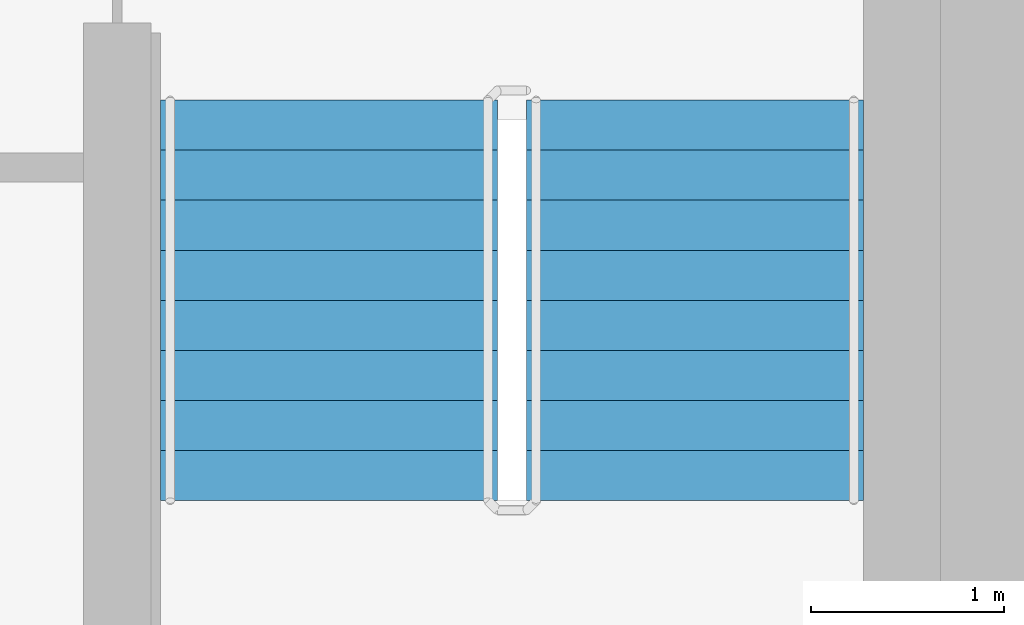
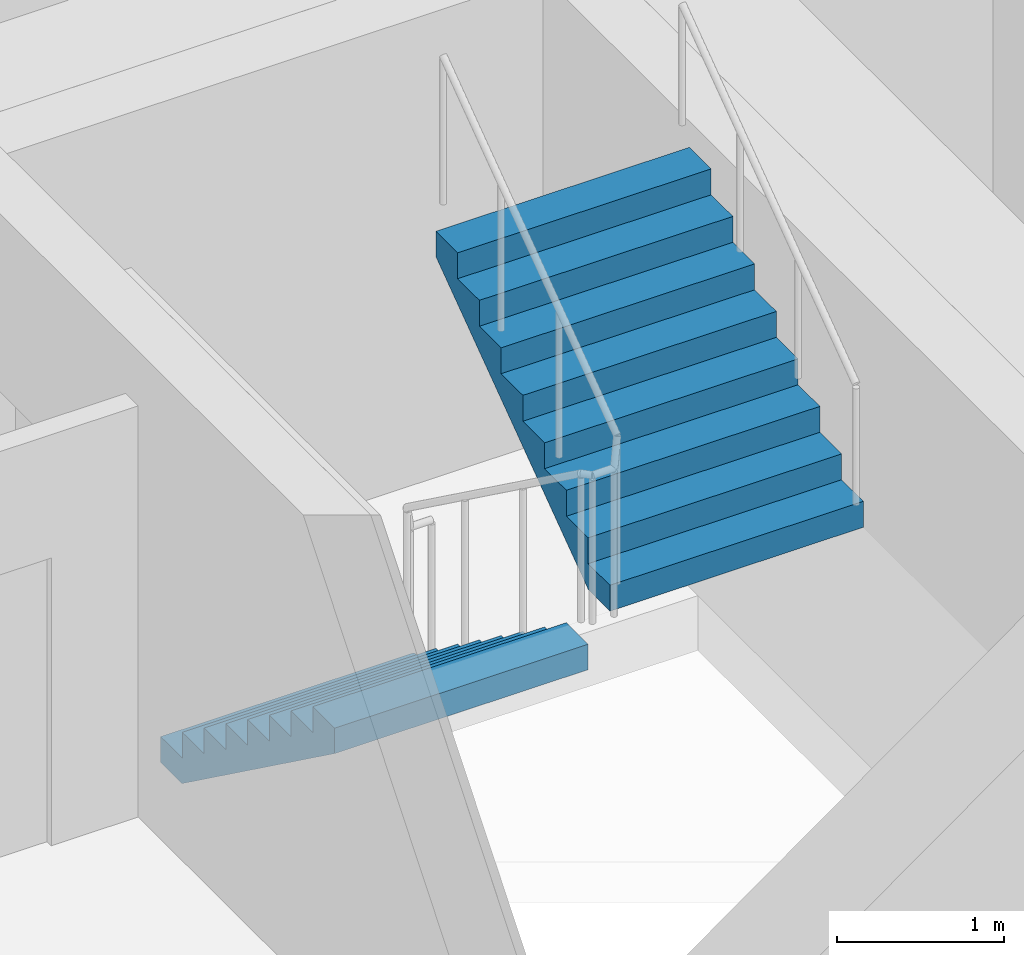
# One storey, part 15 of 19: 2 stair flights, 1 element without a shape of its own.
"""IFC4 building model written with IfcOpenShell, lengths in metres."""

from ifc_helpers import new_model, si_unit, direction, frame, origin, place, context, subcontext, project, spatial, faceted_brep, material, type_object, element, aggregate, save


model = new_model("IFC4")

# Units and contexts
model_context = context("Model", 3, precision=1e-05, world=origin(), true_north=direction((0.0, 1.0)))
body_context = subcontext(model_context, "Body", "Model", "MODEL_VIEW")
ifc_project = project(units=[si_unit("LENGTHUNIT", "METRE"), si_unit("AREAUNIT", "SQUARE_METRE"), si_unit("VOLUMEUNIT", "CUBIC_METRE"), si_unit("PLANEANGLEUNIT", "RADIAN"), si_unit("MASSUNIT", "GRAM", prefix="KILO")], contexts=[model_context])

# Site, building, storey
site_placement = place(None, origin())
site = spatial("IfcSite", under=ifc_project, at=site_placement, CompositionType="ELEMENT")
building_placement = place(site_placement, origin())
building = spatial("IfcBuilding", under=site, at=building_placement, Name="Ipe Terrace Towers", CompositionType="ELEMENT")
storey_placement = place(building_placement, frame((0.0, 0.0, 140.5)))
storey = spatial("IfcBuildingStorey", under=building, at=storey_placement, Name="L38", CompositionType="ELEMENT", Elevation=140.5)

# Stair, stair flights
ifc_material_1 = material(Name="Concrete C30/37", Category="concrete")
stair_type = type_object("IfcStairType", Name="Protected exit stair", PredefinedType="HALF_TURN_STAIR", material=ifc_material_1)
stair_placement = place(storey_placement, origin())
stair = element("IfcStair", 1, at=stair_placement, inside=storey, type_object=stair_type, Name="L38 Exit stair T2-C2", PredefinedType="HALF_TURN_STAIR")
ifc_material_2 = material(Name="Concrete C30/37", Category="concrete")
stair_flight_type = type_object("IfcStairFlightType", Name="Exit stair flight 1750", PredefinedType="STRAIGHT", material=ifc_material_2)
stair_flight_1_placement = place(storey_placement, frame((38.77490234375, -9.699951171875, 0.0), z_axis=(0.0, 0.0, 1.0), x_axis=(0.0, -1.0, 0.0)))
stair_flight_1 = element("IfcStairFlight", 2, at=stair_flight_1_placement, type_object=stair_flight_type, Name="T2-ST2 flight 1", NumberOfRisers=9, NumberOfTreads=8, PredefinedType="STRAIGHT", RiserHeight=0.188888889, TreadLength=0.26, context=body_context, shape_type="Brep", body=[
    faceted_brep([(0.255126953125, -0.875, 0.0), (2.080078125, -0.875, 1.325927734375), (2.080078125, -0.875, 1.51123046875), (1.820068359375, -0.875, 1.51123046875), (1.820068359375, -0.875, 1.322265625), (1.56005859375, -0.875, 1.322265625), (1.56005859375, -0.875, 1.13330078125), (1.300048828125, -0.875, 1.13330078125), (1.300048828125, -0.875, 0.9443359375), (1.0400390625, -0.875, 0.9443359375), (1.0400390625, -0.875, 0.755615234375), (0.780029296875, -0.875, 0.755615234375), (0.780029296875, -0.875, 0.566650390625), (0.52001953125, -0.875, 0.566650390625), (0.52001953125, -0.875, 0.377685546875), (0.260009765625, -0.875, 0.377685546875), (0.260009765625, -0.875, 0.18896484375), (0.0, -0.875, 0.18896484375), (0.0, -0.875, 0.0), (0.0, 0.875, 0.0), (0.0, 0.875, 0.18896484375), (0.260009765625, 0.875, 0.18896484375), (0.260009765625, 0.875, 0.377685546875), (0.52001953125, 0.875, 0.377685546875), (0.52001953125, 0.875, 0.566650390625), (0.780029296875, 0.875, 0.566650390625), (0.780029296875, 0.875, 0.755615234375), (1.0400390625, 0.875, 0.755615234375), (1.0400390625, 0.875, 0.9443359375), (1.300048828125, 0.875, 0.9443359375), (1.300048828125, 0.875, 1.13330078125), (1.56005859375, 0.875, 1.13330078125), (1.56005859375, 0.875, 1.322265625), (1.820068359375, 0.875, 1.322265625), (1.820068359375, 0.875, 1.51123046875), (2.080078125, 0.875, 1.51123046875), (2.080078125, 0.875, 1.325927734375), (0.255126953125, 0.875, 0.0), (0.0, -0.300048828125, 0.18896484375), (0.0, -0.1201171875, 0.18896484375), (0.0, -0.06005859375, 0.18896484375), (0.0, -0.030029296875, 0.18896484375), (0.0, -0.010009765625, 0.18896484375), (0.0, 0.0, 0.18896484375), (0.0, 0.010009765625, 0.18896484375), (0.0, 0.030029296875, 0.18896484375), (0.0, 0.06005859375, 0.18896484375), (0.0, 0.1201171875, 0.18896484375), (0.0, 0.300048828125, 0.18896484375), (0.0, 0.300048828125, 0.0), (0.0, 0.1201171875, 0.0), (0.0, 0.06005859375, 0.0), (0.0, 0.030029296875, 0.0), (0.0, 0.010009765625, 0.0), (0.0, 0.0, 0.0), (0.0, -0.010009765625, 0.0), (0.0, -0.030029296875, 0.0), (0.0, -0.06005859375, 0.0), (0.0, -0.1201171875, 0.0), (0.0, -0.300048828125, 0.0), (0.260009765625, -0.300048828125, 0.18896484375), (0.260009765625, -0.1201171875, 0.18896484375), (0.260009765625, -0.06005859375, 0.18896484375), (0.260009765625, -0.030029296875, 0.18896484375), (0.260009765625, -0.010009765625, 0.18896484375), (0.260009765625, 0.0, 0.18896484375), (0.260009765625, 0.010009765625, 0.18896484375), (0.260009765625, 0.030029296875, 0.18896484375), (0.260009765625, 0.06005859375, 0.18896484375), (0.260009765625, 0.1201171875, 0.18896484375), (0.260009765625, 0.300048828125, 0.18896484375), (0.260009765625, -0.300048828125, 0.377685546875), (0.260009765625, -0.1201171875, 0.377685546875), (0.260009765625, -0.06005859375, 0.377685546875), (0.260009765625, -0.030029296875, 0.377685546875), (0.260009765625, -0.010009765625, 0.377685546875), (0.260009765625, 0.0, 0.377685546875), (0.260009765625, 0.010009765625, 0.377685546875), (0.260009765625, 0.030029296875, 0.377685546875), (0.260009765625, 0.06005859375, 0.377685546875), (0.260009765625, 0.1201171875, 0.377685546875), (0.260009765625, 0.300048828125, 0.377685546875), (0.52001953125, -0.300048828125, 0.377685546875), (0.52001953125, -0.1201171875, 0.377685546875), (0.52001953125, -0.06005859375, 0.377685546875), (0.52001953125, -0.030029296875, 0.377685546875), (0.52001953125, -0.010009765625, 0.377685546875), (0.52001953125, 0.0, 0.377685546875), (0.52001953125, 0.010009765625, 0.377685546875), (0.52001953125, 0.030029296875, 0.377685546875), (0.52001953125, 0.06005859375, 0.377685546875), (0.52001953125, 0.1201171875, 0.377685546875), (0.52001953125, 0.300048828125, 0.377685546875), (0.52001953125, -0.300048828125, 0.566650390625), (0.52001953125, -0.1201171875, 0.566650390625), (0.52001953125, -0.06005859375, 0.566650390625), (0.52001953125, -0.030029296875, 0.566650390625), (0.52001953125, -0.010009765625, 0.566650390625), (0.52001953125, 0.0, 0.566650390625), (0.52001953125, 0.010009765625, 0.566650390625), (0.52001953125, 0.030029296875, 0.566650390625), (0.52001953125, 0.06005859375, 0.566650390625), (0.52001953125, 0.1201171875, 0.566650390625), (0.52001953125, 0.300048828125, 0.566650390625), (0.780029296875, -0.300048828125, 0.566650390625), (0.780029296875, -0.1201171875, 0.566650390625), (0.780029296875, -0.06005859375, 0.566650390625), (0.780029296875, -0.030029296875, 0.566650390625), (0.780029296875, -0.010009765625, 0.566650390625), (0.780029296875, 0.0, 0.566650390625), (0.780029296875, 0.010009765625, 0.566650390625), (0.780029296875, 0.030029296875, 0.566650390625), (0.780029296875, 0.06005859375, 0.566650390625), (0.780029296875, 0.1201171875, 0.566650390625), (0.780029296875, 0.300048828125, 0.566650390625), (0.780029296875, -0.300048828125, 0.755615234375), (0.780029296875, -0.1201171875, 0.755615234375), (0.780029296875, -0.06005859375, 0.755615234375), (0.780029296875, -0.030029296875, 0.755615234375), (0.780029296875, -0.010009765625, 0.755615234375), (0.780029296875, 0.0, 0.755615234375), (0.780029296875, 0.010009765625, 0.755615234375), (0.780029296875, 0.030029296875, 0.755615234375), (0.780029296875, 0.06005859375, 0.755615234375), (0.780029296875, 0.1201171875, 0.755615234375), (0.780029296875, 0.300048828125, 0.755615234375), (1.0400390625, -0.300048828125, 0.755615234375), (1.0400390625, -0.1201171875, 0.755615234375), (1.0400390625, -0.06005859375, 0.755615234375), (1.0400390625, -0.030029296875, 0.755615234375), (1.0400390625, -0.010009765625, 0.755615234375), (1.0400390625, 0.0, 0.755615234375), (1.0400390625, 0.010009765625, 0.755615234375), (1.0400390625, 0.030029296875, 0.755615234375), (1.0400390625, 0.06005859375, 0.755615234375), (1.0400390625, 0.1201171875, 0.755615234375), (1.0400390625, 0.300048828125, 0.755615234375), (1.0400390625, -0.300048828125, 0.9443359375), (1.0400390625, -0.1201171875, 0.9443359375), (1.0400390625, -0.06005859375, 0.9443359375), (1.0400390625, -0.030029296875, 0.9443359375), (1.0400390625, -0.010009765625, 0.9443359375), (1.0400390625, 0.0, 0.9443359375), (1.0400390625, 0.010009765625, 0.9443359375), (1.0400390625, 0.030029296875, 0.9443359375), (1.0400390625, 0.06005859375, 0.9443359375), (1.0400390625, 0.1201171875, 0.9443359375), (1.0400390625, 0.300048828125, 0.9443359375), (1.300048828125, -0.300048828125, 0.9443359375), (1.300048828125, -0.1201171875, 0.9443359375), (1.300048828125, -0.06005859375, 0.9443359375), (1.300048828125, -0.030029296875, 0.9443359375), (1.300048828125, -0.010009765625, 0.9443359375), (1.300048828125, 0.0, 0.9443359375), (1.300048828125, 0.010009765625, 0.9443359375), (1.300048828125, 0.030029296875, 0.9443359375), (1.300048828125, 0.06005859375, 0.9443359375), (1.300048828125, 0.1201171875, 0.9443359375), (1.300048828125, 0.300048828125, 0.9443359375), (1.300048828125, -0.300048828125, 1.13330078125), (1.300048828125, -0.1201171875, 1.13330078125), (1.300048828125, -0.06005859375, 1.13330078125), (1.300048828125, -0.030029296875, 1.13330078125), (1.300048828125, -0.010009765625, 1.13330078125), (1.300048828125, 0.0, 1.13330078125), (1.300048828125, 0.010009765625, 1.13330078125), (1.300048828125, 0.030029296875, 1.13330078125), (1.300048828125, 0.06005859375, 1.13330078125), (1.300048828125, 0.1201171875, 1.13330078125), (1.300048828125, 0.300048828125, 1.13330078125), (1.56005859375, -0.300048828125, 1.13330078125), (1.56005859375, -0.1201171875, 1.13330078125), (1.56005859375, -0.06005859375, 1.13330078125), (1.56005859375, -0.030029296875, 1.13330078125), (1.56005859375, -0.010009765625, 1.13330078125), (1.56005859375, 0.0, 1.13330078125), (1.56005859375, 0.010009765625, 1.13330078125), (1.56005859375, 0.030029296875, 1.13330078125), (1.56005859375, 0.06005859375, 1.13330078125), (1.56005859375, 0.1201171875, 1.13330078125), (1.56005859375, 0.300048828125, 1.13330078125), (1.56005859375, -0.300048828125, 1.322265625), (1.56005859375, -0.1201171875, 1.322265625), (1.56005859375, -0.06005859375, 1.322265625), (1.56005859375, -0.030029296875, 1.322265625), (1.56005859375, -0.010009765625, 1.322265625), (1.56005859375, 0.0, 1.322265625), (1.56005859375, 0.010009765625, 1.322265625), (1.56005859375, 0.030029296875, 1.322265625), (1.56005859375, 0.06005859375, 1.322265625), (1.56005859375, 0.1201171875, 1.322265625), (1.56005859375, 0.300048828125, 1.322265625), (1.820068359375, -0.300048828125, 1.322265625), (1.820068359375, -0.1201171875, 1.322265625), (1.820068359375, -0.06005859375, 1.322265625), (1.820068359375, -0.030029296875, 1.322265625), (1.820068359375, -0.010009765625, 1.322265625), (1.820068359375, 0.0, 1.322265625), (1.820068359375, 0.010009765625, 1.322265625), (1.820068359375, 0.030029296875, 1.322265625), (1.820068359375, 0.06005859375, 1.322265625), (1.820068359375, 0.1201171875, 1.322265625), (1.820068359375, 0.300048828125, 1.322265625), (1.820068359375, -0.300048828125, 1.51123046875), (1.820068359375, -0.1201171875, 1.51123046875), (1.820068359375, -0.06005859375, 1.51123046875), (1.820068359375, -0.030029296875, 1.51123046875), (1.820068359375, -0.010009765625, 1.51123046875), (1.820068359375, 0.0, 1.51123046875), (1.820068359375, 0.010009765625, 1.51123046875), (1.820068359375, 0.030029296875, 1.51123046875), (1.820068359375, 0.06005859375, 1.51123046875), (1.820068359375, 0.1201171875, 1.51123046875), (1.820068359375, 0.300048828125, 1.51123046875), (2.080078125, -0.300048828125, 1.51123046875), (2.080078125, -0.1201171875, 1.51123046875), (2.080078125, -0.06005859375, 1.51123046875), (2.080078125, -0.030029296875, 1.51123046875), (2.080078125, -0.010009765625, 1.51123046875), (2.080078125, 0.0, 1.51123046875), (2.080078125, 0.010009765625, 1.51123046875), (2.080078125, 0.030029296875, 1.51123046875), (2.080078125, 0.06005859375, 1.51123046875), (2.080078125, 0.1201171875, 1.51123046875), (2.080078125, 0.300048828125, 1.51123046875), (2.080078125, -0.300048828125, 1.325927734375), (2.080078125, -0.1201171875, 1.325927734375), (2.080078125, -0.06005859375, 1.325927734375), (2.080078125, -0.030029296875, 1.325927734375), (2.080078125, -0.010009765625, 1.325927734375), (2.080078125, 0.0, 1.325927734375), (2.080078125, 0.010009765625, 1.325927734375), (2.080078125, 0.030029296875, 1.325927734375), (2.080078125, 0.06005859375, 1.325927734375), (2.080078125, 0.1201171875, 1.325927734375), (2.080078125, 0.300048828125, 1.325927734375), (0.255126953125, -0.300048828125, 0.0), (0.255126953125, -0.1201171875, 0.0), (0.255126953125, -0.06005859375, 0.0), (0.255126953125, -0.030029296875, 0.0), (0.255126953125, -0.010009765625, 0.0), (0.255126953125, 0.0, 0.0), (0.255126953125, 0.010009765625, 0.0), (0.255126953125, 0.030029296875, 0.0), (0.255126953125, 0.06005859375, 0.0), (0.255126953125, 0.1201171875, 0.0), (0.255126953125, 0.300048828125, 0.0)], [[[0, 1, 2, 3, 4, 5, 6, 7, 8, 9, 10, 11, 12, 13, 14, 15, 16, 17, 18]], [[19, 20, 21, 22, 23, 24, 25, 26, 27, 28, 29, 30, 31, 32, 33, 34, 35, 36, 37]], [[17, 38, 39, 40, 41, 42, 43, 44, 45, 46, 47, 48, 20, 19, 49, 50, 51, 52, 53, 54, 55, 56, 57, 58, 59, 18]], [[16, 60, 61, 62, 63, 64, 65, 66, 67, 68, 69, 70, 21, 20, 48, 47, 46, 45, 44, 43, 42, 41, 40, 39, 38, 17]], [[15, 71, 72, 73, 74, 75, 76, 77, 78, 79, 80, 81, 22, 21, 70, 69, 68, 67, 66, 65, 64, 63, 62, 61, 60, 16]], [[14, 82, 83, 84, 85, 86, 87, 88, 89, 90, 91, 92, 23, 22, 81, 80, 79, 78, 77, 76, 75, 74, 73, 72, 71, 15]], [[13, 93, 94, 95, 96, 97, 98, 99, 100, 101, 102, 103, 24, 23, 92, 91, 90, 89, 88, 87, 86, 85, 84, 83, 82, 14]], [[12, 104, 105, 106, 107, 108, 109, 110, 111, 112, 113, 114, 25, 24, 103, 102, 101, 100, 99, 98, 97, 96, 95, 94, 93, 13]], [[11, 115, 116, 117, 118, 119, 120, 121, 122, 123, 124, 125, 26, 25, 114, 113, 112, 111, 110, 109, 108, 107, 106, 105, 104, 12]], [[10, 126, 127, 128, 129, 130, 131, 132, 133, 134, 135, 136, 27, 26, 125, 124, 123, 122, 121, 120, 119, 118, 117, 116, 115, 11]], [[9, 137, 138, 139, 140, 141, 142, 143, 144, 145, 146, 147, 28, 27, 136, 135, 134, 133, 132, 131, 130, 129, 128, 127, 126, 10]], [[8, 148, 149, 150, 151, 152, 153, 154, 155, 156, 157, 158, 29, 28, 147, 146, 145, 144, 143, 142, 141, 140, 139, 138, 137, 9]], [[7, 159, 160, 161, 162, 163, 164, 165, 166, 167, 168, 169, 30, 29, 158, 157, 156, 155, 154, 153, 152, 151, 150, 149, 148, 8]], [[6, 170, 171, 172, 173, 174, 175, 176, 177, 178, 179, 180, 31, 30, 169, 168, 167, 166, 165, 164, 163, 162, 161, 160, 159, 7]], [[5, 181, 182, 183, 184, 185, 186, 187, 188, 189, 190, 191, 32, 31, 180, 179, 178, 177, 176, 175, 174, 173, 172, 171, 170, 6]], [[4, 192, 193, 194, 195, 196, 197, 198, 199, 200, 201, 202, 33, 32, 191, 190, 189, 188, 187, 186, 185, 184, 183, 182, 181, 5]], [[3, 203, 204, 205, 206, 207, 208, 209, 210, 211, 212, 213, 34, 33, 202, 201, 200, 199, 198, 197, 196, 195, 194, 193, 192, 4]], [[2, 214, 215, 216, 217, 218, 219, 220, 221, 222, 223, 224, 35, 34, 213, 212, 211, 210, 209, 208, 207, 206, 205, 204, 203, 3]], [[1, 225, 226, 227, 228, 229, 230, 231, 232, 233, 234, 235, 36, 35, 224, 223, 222, 221, 220, 219, 218, 217, 216, 215, 214, 2]], [[0, 236, 237, 238, 239, 240, 241, 242, 243, 244, 245, 246, 37, 36, 235, 234, 233, 232, 231, 230, 229, 228, 227, 226, 225, 1]], [[18, 59, 58, 57, 56, 55, 54, 53, 52, 51, 50, 49, 19, 37, 246, 245, 244, 243, 242, 241, 240, 239, 238, 237, 236, 0]]]),
])
stair_flight_2_placement = place(storey_placement, frame((40.675048828125, -11.780029296875, 1.699951171875), z_axis=(0.0, 0.0, 1.0), x_axis=(0.0, 1.0, 0.0)))
stair_flight_2 = element("IfcStairFlight", 3, at=stair_flight_2_placement, type_object=stair_flight_type, Name="T2-ST2 flight 2", NumberOfRisers=9, NumberOfTreads=8, PredefinedType="STRAIGHT", RiserHeight=0.188888889, TreadLength=0.26, context=body_context, shape_type="Brep", body=[
    faceted_brep([(0.255126953125, -0.875, 0.0), (2.080078125, -0.875, 1.325927734375), (2.080078125, -0.875, 1.51123046875), (1.820068359375, -0.875, 1.51123046875), (1.820068359375, -0.875, 1.322265625), (1.56005859375, -0.875, 1.322265625), (1.56005859375, -0.875, 1.13330078125), (1.300048828125, -0.875, 1.13330078125), (1.300048828125, -0.875, 0.9443359375), (1.0400390625, -0.875, 0.9443359375), (1.0400390625, -0.875, 0.755615234375), (0.780029296875, -0.875, 0.755615234375), (0.780029296875, -0.875, 0.566650390625), (0.52001953125, -0.875, 0.566650390625), (0.52001953125, -0.875, 0.377685546875), (0.260009765625, -0.875, 0.377685546875), (0.260009765625, -0.875, 0.18896484375), (0.0, -0.875, 0.18896484375), (0.0, -0.875, 0.0), (0.0, 0.875, 0.0), (0.0, 0.875, 0.18896484375), (0.260009765625, 0.875, 0.18896484375), (0.260009765625, 0.875, 0.377685546875), (0.52001953125, 0.875, 0.377685546875), (0.52001953125, 0.875, 0.566650390625), (0.780029296875, 0.875, 0.566650390625), (0.780029296875, 0.875, 0.755615234375), (1.0400390625, 0.875, 0.755615234375), (1.0400390625, 0.875, 0.9443359375), (1.300048828125, 0.875, 0.9443359375), (1.300048828125, 0.875, 1.13330078125), (1.56005859375, 0.875, 1.13330078125), (1.56005859375, 0.875, 1.322265625), (1.820068359375, 0.875, 1.322265625), (1.820068359375, 0.875, 1.51123046875), (2.080078125, 0.875, 1.51123046875), (2.080078125, 0.875, 1.325927734375), (0.255126953125, 0.875, 0.0), (0.0, -0.300048828125, 0.18896484375), (0.0, -0.1201171875, 0.18896484375), (0.0, -0.06005859375, 0.18896484375), (0.0, -0.030029296875, 0.18896484375), (0.0, -0.010009765625, 0.18896484375), (0.0, 0.0, 0.18896484375), (0.0, 0.010009765625, 0.18896484375), (0.0, 0.030029296875, 0.18896484375), (0.0, 0.06005859375, 0.18896484375), (0.0, 0.1201171875, 0.18896484375), (0.0, 0.300048828125, 0.18896484375), (0.0, 0.300048828125, 0.0), (0.0, 0.1201171875, 0.0), (0.0, 0.06005859375, 0.0), (0.0, 0.030029296875, 0.0), (0.0, 0.010009765625, 0.0), (0.0, 0.0, 0.0), (0.0, -0.010009765625, 0.0), (0.0, -0.030029296875, 0.0), (0.0, -0.06005859375, 0.0), (0.0, -0.1201171875, 0.0), (0.0, -0.300048828125, 0.0), (0.260009765625, -0.300048828125, 0.18896484375), (0.260009765625, -0.1201171875, 0.18896484375), (0.260009765625, -0.06005859375, 0.18896484375), (0.260009765625, -0.030029296875, 0.18896484375), (0.260009765625, -0.010009765625, 0.18896484375), (0.260009765625, 0.0, 0.18896484375), (0.260009765625, 0.010009765625, 0.18896484375), (0.260009765625, 0.030029296875, 0.18896484375), (0.260009765625, 0.06005859375, 0.18896484375), (0.260009765625, 0.1201171875, 0.18896484375), (0.260009765625, 0.300048828125, 0.18896484375), (0.260009765625, -0.300048828125, 0.377685546875), (0.260009765625, -0.1201171875, 0.377685546875), (0.260009765625, -0.06005859375, 0.377685546875), (0.260009765625, -0.030029296875, 0.377685546875), (0.260009765625, -0.010009765625, 0.377685546875), (0.260009765625, 0.0, 0.377685546875), (0.260009765625, 0.010009765625, 0.377685546875), (0.260009765625, 0.030029296875, 0.377685546875), (0.260009765625, 0.06005859375, 0.377685546875), (0.260009765625, 0.1201171875, 0.377685546875), (0.260009765625, 0.300048828125, 0.377685546875), (0.52001953125, -0.300048828125, 0.377685546875), (0.52001953125, -0.1201171875, 0.377685546875), (0.52001953125, -0.06005859375, 0.377685546875), (0.52001953125, -0.030029296875, 0.377685546875), (0.52001953125, -0.010009765625, 0.377685546875), (0.52001953125, 0.0, 0.377685546875), (0.52001953125, 0.010009765625, 0.377685546875), (0.52001953125, 0.030029296875, 0.377685546875), (0.52001953125, 0.06005859375, 0.377685546875), (0.52001953125, 0.1201171875, 0.377685546875), (0.52001953125, 0.300048828125, 0.377685546875), (0.52001953125, -0.300048828125, 0.566650390625), (0.52001953125, -0.1201171875, 0.566650390625), (0.52001953125, -0.06005859375, 0.566650390625), (0.52001953125, -0.030029296875, 0.566650390625), (0.52001953125, -0.010009765625, 0.566650390625), (0.52001953125, 0.0, 0.566650390625), (0.52001953125, 0.010009765625, 0.566650390625), (0.52001953125, 0.030029296875, 0.566650390625), (0.52001953125, 0.06005859375, 0.566650390625), (0.52001953125, 0.1201171875, 0.566650390625), (0.52001953125, 0.300048828125, 0.566650390625), (0.780029296875, -0.300048828125, 0.566650390625), (0.780029296875, -0.1201171875, 0.566650390625), (0.780029296875, -0.06005859375, 0.566650390625), (0.780029296875, -0.030029296875, 0.566650390625), (0.780029296875, -0.010009765625, 0.566650390625), (0.780029296875, 0.0, 0.566650390625), (0.780029296875, 0.010009765625, 0.566650390625), (0.780029296875, 0.030029296875, 0.566650390625), (0.780029296875, 0.06005859375, 0.566650390625), (0.780029296875, 0.1201171875, 0.566650390625), (0.780029296875, 0.300048828125, 0.566650390625), (0.780029296875, -0.300048828125, 0.755615234375), (0.780029296875, -0.1201171875, 0.755615234375), (0.780029296875, -0.06005859375, 0.755615234375), (0.780029296875, -0.030029296875, 0.755615234375), (0.780029296875, -0.010009765625, 0.755615234375), (0.780029296875, 0.0, 0.755615234375), (0.780029296875, 0.010009765625, 0.755615234375), (0.780029296875, 0.030029296875, 0.755615234375), (0.780029296875, 0.06005859375, 0.755615234375), (0.780029296875, 0.1201171875, 0.755615234375), (0.780029296875, 0.300048828125, 0.755615234375), (1.0400390625, -0.300048828125, 0.755615234375), (1.0400390625, -0.1201171875, 0.755615234375), (1.0400390625, -0.06005859375, 0.755615234375), (1.0400390625, -0.030029296875, 0.755615234375), (1.0400390625, -0.010009765625, 0.755615234375), (1.0400390625, 0.0, 0.755615234375), (1.0400390625, 0.010009765625, 0.755615234375), (1.0400390625, 0.030029296875, 0.755615234375), (1.0400390625, 0.06005859375, 0.755615234375), (1.0400390625, 0.1201171875, 0.755615234375), (1.0400390625, 0.300048828125, 0.755615234375), (1.0400390625, -0.300048828125, 0.9443359375), (1.0400390625, -0.1201171875, 0.9443359375), (1.0400390625, -0.06005859375, 0.9443359375), (1.0400390625, -0.030029296875, 0.9443359375), (1.0400390625, -0.010009765625, 0.9443359375), (1.0400390625, 0.0, 0.9443359375), (1.0400390625, 0.010009765625, 0.9443359375), (1.0400390625, 0.030029296875, 0.9443359375), (1.0400390625, 0.06005859375, 0.9443359375), (1.0400390625, 0.1201171875, 0.9443359375), (1.0400390625, 0.300048828125, 0.9443359375), (1.300048828125, -0.300048828125, 0.9443359375), (1.300048828125, -0.1201171875, 0.9443359375), (1.300048828125, -0.06005859375, 0.9443359375), (1.300048828125, -0.030029296875, 0.9443359375), (1.300048828125, -0.010009765625, 0.9443359375), (1.300048828125, 0.0, 0.9443359375), (1.300048828125, 0.010009765625, 0.9443359375), (1.300048828125, 0.030029296875, 0.9443359375), (1.300048828125, 0.06005859375, 0.9443359375), (1.300048828125, 0.1201171875, 0.9443359375), (1.300048828125, 0.300048828125, 0.9443359375), (1.300048828125, -0.300048828125, 1.13330078125), (1.300048828125, -0.1201171875, 1.13330078125), (1.300048828125, -0.06005859375, 1.13330078125), (1.300048828125, -0.030029296875, 1.13330078125), (1.300048828125, -0.010009765625, 1.13330078125), (1.300048828125, 0.0, 1.13330078125), (1.300048828125, 0.010009765625, 1.13330078125), (1.300048828125, 0.030029296875, 1.13330078125), (1.300048828125, 0.06005859375, 1.13330078125), (1.300048828125, 0.1201171875, 1.13330078125), (1.300048828125, 0.300048828125, 1.13330078125), (1.56005859375, -0.300048828125, 1.13330078125), (1.56005859375, -0.1201171875, 1.13330078125), (1.56005859375, -0.06005859375, 1.13330078125), (1.56005859375, -0.030029296875, 1.13330078125), (1.56005859375, -0.010009765625, 1.13330078125), (1.56005859375, 0.0, 1.13330078125), (1.56005859375, 0.010009765625, 1.13330078125), (1.56005859375, 0.030029296875, 1.13330078125), (1.56005859375, 0.06005859375, 1.13330078125), (1.56005859375, 0.1201171875, 1.13330078125), (1.56005859375, 0.300048828125, 1.13330078125), (1.56005859375, -0.300048828125, 1.322265625), (1.56005859375, -0.1201171875, 1.322265625), (1.56005859375, -0.06005859375, 1.322265625), (1.56005859375, -0.030029296875, 1.322265625), (1.56005859375, -0.010009765625, 1.322265625), (1.56005859375, 0.0, 1.322265625), (1.56005859375, 0.010009765625, 1.322265625), (1.56005859375, 0.030029296875, 1.322265625), (1.56005859375, 0.06005859375, 1.322265625), (1.56005859375, 0.1201171875, 1.322265625), (1.56005859375, 0.300048828125, 1.322265625), (1.820068359375, -0.300048828125, 1.322265625), (1.820068359375, -0.1201171875, 1.322265625), (1.820068359375, -0.06005859375, 1.322265625), (1.820068359375, -0.030029296875, 1.322265625), (1.820068359375, -0.010009765625, 1.322265625), (1.820068359375, 0.0, 1.322265625), (1.820068359375, 0.010009765625, 1.322265625), (1.820068359375, 0.030029296875, 1.322265625), (1.820068359375, 0.06005859375, 1.322265625), (1.820068359375, 0.1201171875, 1.322265625), (1.820068359375, 0.300048828125, 1.322265625), (1.820068359375, -0.300048828125, 1.51123046875), (1.820068359375, -0.1201171875, 1.51123046875), (1.820068359375, -0.06005859375, 1.51123046875), (1.820068359375, -0.030029296875, 1.51123046875), (1.820068359375, -0.010009765625, 1.51123046875), (1.820068359375, 0.0, 1.51123046875), (1.820068359375, 0.010009765625, 1.51123046875), (1.820068359375, 0.030029296875, 1.51123046875), (1.820068359375, 0.06005859375, 1.51123046875), (1.820068359375, 0.1201171875, 1.51123046875), (1.820068359375, 0.300048828125, 1.51123046875), (2.080078125, -0.300048828125, 1.51123046875), (2.080078125, -0.1201171875, 1.51123046875), (2.080078125, -0.06005859375, 1.51123046875), (2.080078125, -0.030029296875, 1.51123046875), (2.080078125, -0.010009765625, 1.51123046875), (2.080078125, 0.0, 1.51123046875), (2.080078125, 0.010009765625, 1.51123046875), (2.080078125, 0.030029296875, 1.51123046875), (2.080078125, 0.06005859375, 1.51123046875), (2.080078125, 0.1201171875, 1.51123046875), (2.080078125, 0.300048828125, 1.51123046875), (2.080078125, -0.300048828125, 1.325927734375), (2.080078125, -0.1201171875, 1.325927734375), (2.080078125, -0.06005859375, 1.325927734375), (2.080078125, -0.030029296875, 1.325927734375), (2.080078125, -0.010009765625, 1.325927734375), (2.080078125, 0.0, 1.325927734375), (2.080078125, 0.010009765625, 1.325927734375), (2.080078125, 0.030029296875, 1.325927734375), (2.080078125, 0.06005859375, 1.325927734375), (2.080078125, 0.1201171875, 1.325927734375), (2.080078125, 0.300048828125, 1.325927734375), (0.255126953125, -0.300048828125, 0.0), (0.255126953125, -0.1201171875, 0.0), (0.255126953125, -0.06005859375, 0.0), (0.255126953125, -0.030029296875, 0.0), (0.255126953125, -0.010009765625, 0.0), (0.255126953125, 0.0, 0.0), (0.255126953125, 0.010009765625, 0.0), (0.255126953125, 0.030029296875, 0.0), (0.255126953125, 0.06005859375, 0.0), (0.255126953125, 0.1201171875, 0.0), (0.255126953125, 0.300048828125, 0.0)], [[[0, 1, 2, 3, 4, 5, 6, 7, 8, 9, 10, 11, 12, 13, 14, 15, 16, 17, 18]], [[19, 20, 21, 22, 23, 24, 25, 26, 27, 28, 29, 30, 31, 32, 33, 34, 35, 36, 37]], [[17, 38, 39, 40, 41, 42, 43, 44, 45, 46, 47, 48, 20, 19, 49, 50, 51, 52, 53, 54, 55, 56, 57, 58, 59, 18]], [[16, 60, 61, 62, 63, 64, 65, 66, 67, 68, 69, 70, 21, 20, 48, 47, 46, 45, 44, 43, 42, 41, 40, 39, 38, 17]], [[15, 71, 72, 73, 74, 75, 76, 77, 78, 79, 80, 81, 22, 21, 70, 69, 68, 67, 66, 65, 64, 63, 62, 61, 60, 16]], [[14, 82, 83, 84, 85, 86, 87, 88, 89, 90, 91, 92, 23, 22, 81, 80, 79, 78, 77, 76, 75, 74, 73, 72, 71, 15]], [[13, 93, 94, 95, 96, 97, 98, 99, 100, 101, 102, 103, 24, 23, 92, 91, 90, 89, 88, 87, 86, 85, 84, 83, 82, 14]], [[12, 104, 105, 106, 107, 108, 109, 110, 111, 112, 113, 114, 25, 24, 103, 102, 101, 100, 99, 98, 97, 96, 95, 94, 93, 13]], [[11, 115, 116, 117, 118, 119, 120, 121, 122, 123, 124, 125, 26, 25, 114, 113, 112, 111, 110, 109, 108, 107, 106, 105, 104, 12]], [[10, 126, 127, 128, 129, 130, 131, 132, 133, 134, 135, 136, 27, 26, 125, 124, 123, 122, 121, 120, 119, 118, 117, 116, 115, 11]], [[9, 137, 138, 139, 140, 141, 142, 143, 144, 145, 146, 147, 28, 27, 136, 135, 134, 133, 132, 131, 130, 129, 128, 127, 126, 10]], [[8, 148, 149, 150, 151, 152, 153, 154, 155, 156, 157, 158, 29, 28, 147, 146, 145, 144, 143, 142, 141, 140, 139, 138, 137, 9]], [[7, 159, 160, 161, 162, 163, 164, 165, 166, 167, 168, 169, 30, 29, 158, 157, 156, 155, 154, 153, 152, 151, 150, 149, 148, 8]], [[6, 170, 171, 172, 173, 174, 175, 176, 177, 178, 179, 180, 31, 30, 169, 168, 167, 166, 165, 164, 163, 162, 161, 160, 159, 7]], [[5, 181, 182, 183, 184, 185, 186, 187, 188, 189, 190, 191, 32, 31, 180, 179, 178, 177, 176, 175, 174, 173, 172, 171, 170, 6]], [[4, 192, 193, 194, 195, 196, 197, 198, 199, 200, 201, 202, 33, 32, 191, 190, 189, 188, 187, 186, 185, 184, 183, 182, 181, 5]], [[3, 203, 204, 205, 206, 207, 208, 209, 210, 211, 212, 213, 34, 33, 202, 201, 200, 199, 198, 197, 196, 195, 194, 193, 192, 4]], [[2, 214, 215, 216, 217, 218, 219, 220, 221, 222, 223, 224, 35, 34, 213, 212, 211, 210, 209, 208, 207, 206, 205, 204, 203, 3]], [[1, 225, 226, 227, 228, 229, 230, 231, 232, 233, 234, 235, 36, 35, 224, 223, 222, 221, 220, 219, 218, 217, 216, 215, 214, 2]], [[0, 236, 237, 238, 239, 240, 241, 242, 243, 244, 245, 246, 37, 36, 235, 234, 233, 232, 231, 230, 229, 228, 227, 226, 225, 1]], [[18, 59, 58, 57, 56, 55, 54, 53, 52, 51, 50, 49, 19, 37, 246, 245, 244, 243, 242, 241, 240, 239, 238, 237, 236, 0]]]),
])
aggregate(stair, [stair_flight_1, stair_flight_2])

save(model, "model.ifc")
